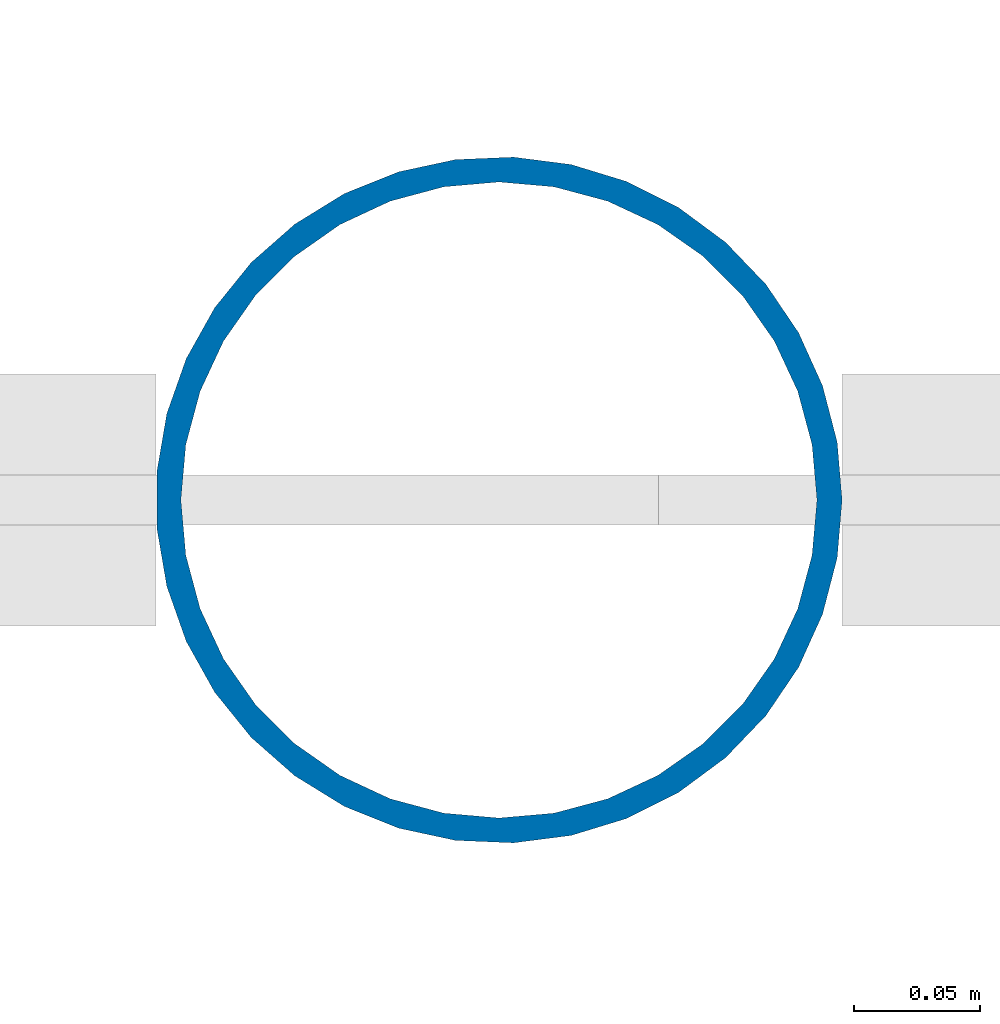
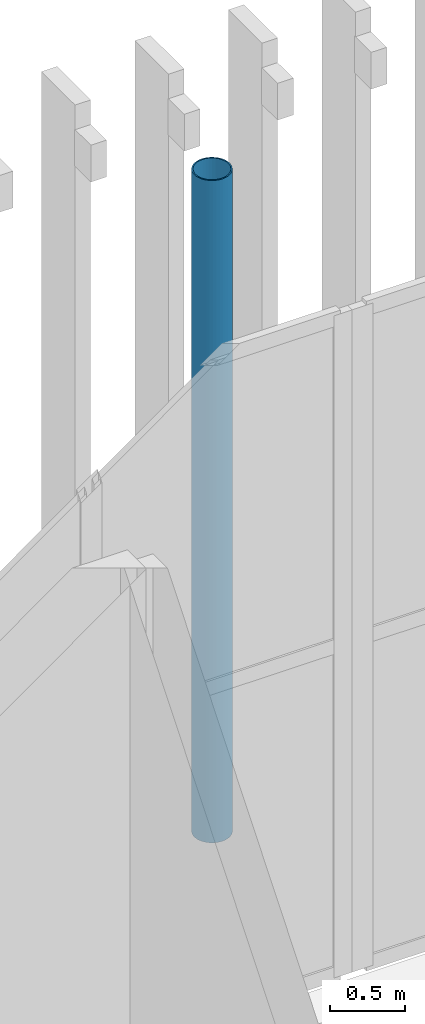
# One storey, part 20 of 170: 1 column.
"""IFC4 building model written with IfcOpenShell, lengths in metres."""

from ifc_helpers import new_model, si_unit, direction, frame, origin, origin_2d, place, context, subcontext, project, spatial, hollow_circle, extrude, material, material_profile, profile_set, type_object, element, save


model = new_model("IFC4")

# Units and contexts
model_context = context("Model", 3, precision=1e-05, world=origin(), true_north=direction((0.0, 1.0)))
body_context = subcontext(model_context, "Body", "Model", "MODEL_VIEW")
ifc_project = project(units=[si_unit("LENGTHUNIT", "METRE"), si_unit("AREAUNIT", "SQUARE_METRE"), si_unit("VOLUMEUNIT", "CUBIC_METRE"), si_unit("PLANEANGLEUNIT", "RADIAN"), si_unit("MASSUNIT", "GRAM", prefix="KILO")], contexts=[model_context])

# Site, building, storey
site_placement = place(None, origin())
site = spatial("IfcSite", under=ifc_project, at=site_placement, CompositionType="ELEMENT")
building_placement = place(site_placement, origin())
building = spatial("IfcBuilding", under=site, at=building_placement, Name="Ravi Spectrum Wholesale Market", CompositionType="ELEMENT")
storey_placement = place(building_placement, frame((0.0, 0.0, 5.39990234375)))
storey = spatial("IfcBuildingStorey", under=building, at=storey_placement, Name="L01", CompositionType="ELEMENT", Elevation=5.39990234375)

# Column
ifc_material = material(Name="Steel S355", Category="steel")
ifc_material_profile = material_profile(ifc_material, hollow_circle(Radius=0.136474609375, WallThickness=0.010009765625, at=origin_2d()))
ifc_profile_set = profile_set([ifc_material_profile], Name="Steel S355")
column_type = type_object("IfcColumnType", Name="CHS 273x10 column", PredefinedType="COLUMN", material=ifc_profile_set)
column_placement = place(storey_placement, frame((70.0, 197.199951171875, 0.0), z_axis=(0.0, 0.0, 1.0), x_axis=(1.0, 0.0, 0.0)))
element("IfcColumn", 1, at=column_placement, inside=storey, type_object=column_type, Name="H1-COL-L01-050", PredefinedType="COLUMN", context=body_context, shape_type="SweptSolid", body=[
    extrude(hollow_circle(Radius=0.136474609375, WallThickness=0.010009765625, at=origin_2d()), origin(), (0.0, 0.0, 1.0), 5.400146484375),
])

save(model, "model.ifc")
